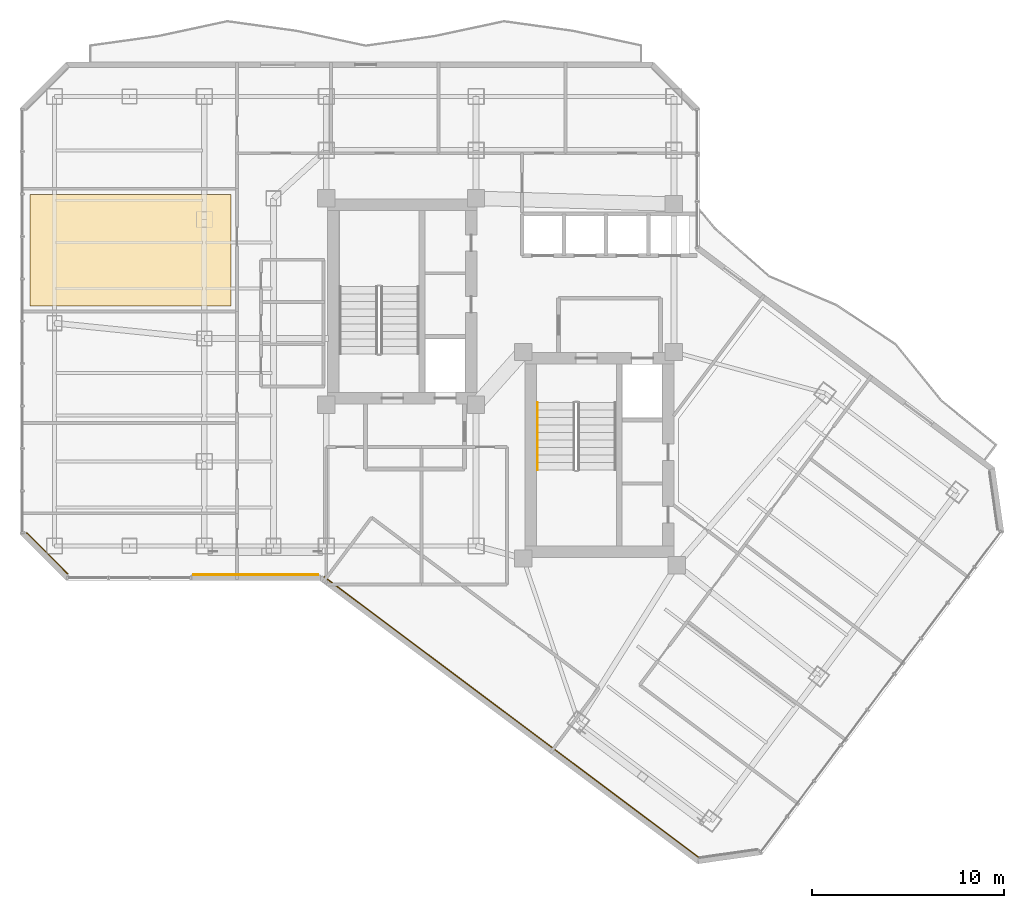
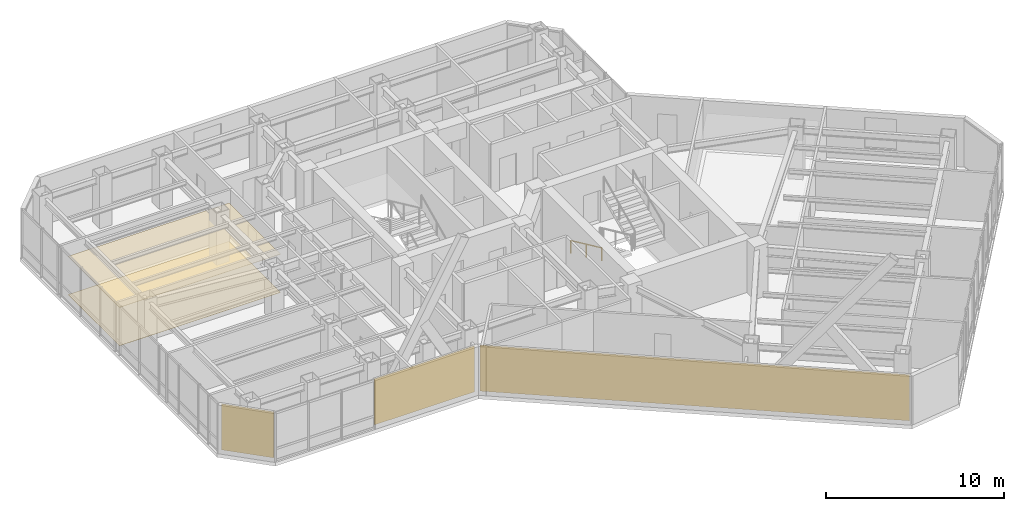
# One storey, part 25 of 27: 5 coverings, 1 railing.
"""IFC4 building model written with IfcOpenShell, lengths in metres."""

from ifc_helpers import new_model, si_unit, direction, frame, origin, origin_2d, place, context, subcontext, project, spatial, polyline, rectangle, circle, outline, extrude, material, layer, layer_set, type_object, element, save


model = new_model("IFC4")

# Units and contexts
model_context = context("Model", 3, precision=1e-05, world=origin(), true_north=direction((0.0, 1.0)))
body_context = subcontext(model_context, "Body", "Model", "MODEL_VIEW")
ifc_project = project(units=[si_unit("LENGTHUNIT", "METRE"), si_unit("AREAUNIT", "SQUARE_METRE"), si_unit("VOLUMEUNIT", "CUBIC_METRE"), si_unit("PLANEANGLEUNIT", "RADIAN"), si_unit("MASSUNIT", "GRAM", prefix="KILO")], contexts=[model_context])

# Site, building, storey
site_placement = place(None, origin())
site = spatial("IfcSite", under=ifc_project, at=site_placement, CompositionType="ELEMENT")
building_placement = place(site_placement, origin())
building = spatial("IfcBuilding", under=site, at=building_placement, Name="Hatsunagi Terrace Concourse", CompositionType="ELEMENT")
storey_placement = place(building_placement, frame((0.0, 0.0, 145.64990234375)))
storey = spatial("IfcBuildingStorey", under=building, at=storey_placement, Name="L38", CompositionType="ELEMENT", Elevation=145.64990234375)

# Coverings
ifc_material_1 = material(Name="Acoustic mineral board", Category="gypsum")
ifc_layer_1 = layer(ifc_material_1, 0.02001953125)
ifc_layer_set_1 = layer_set([ifc_layer_1], Name="AcousticMineralCeiling_20")
covering_type_1 = type_object("IfcCoveringType", Name="AcousticMineralCeiling_20", PredefinedType="CEILING", material=ifc_layer_set_1)
covering_1_placement = place(storey_placement, frame((0.0, 0.0, 2.630126953125)))
element("IfcCovering", 1, at=covering_1_placement, inside=storey, type_object=covering_type_1, Name="Suspended Ceiling L38-2", PredefinedType="CEILING", context=body_context, shape_type="SweptSolid", body=[
    extrude(outline(polyline([(10.1298828125, 37.699951171875), (20.60009765625, 37.699951171875), (20.60009765625, 43.5), (10.1298828125, 43.5), (10.1298828125, 37.699951171875)])), origin(), (0.0, 0.0, 1.0), 0.02001953125),
])
ifc_material_2 = material(Name="Hardwood timber", Category="wood")
ifc_layer_2 = layer(ifc_material_2, 0.014892578125)
ifc_layer_set_2 = layer_set([ifc_layer_2], Name="HardwoodTimberFlooring_15")
covering_type_2 = type_object("IfcCoveringType", Name="HardwoodTimberFlooring_15", PredefinedType="FLOORING", material=ifc_layer_set_2)
covering_2_placement = place(storey_placement, origin())
element("IfcCovering", 2, at=covering_2_placement, inside=storey, type_object=covering_type_2, Name="Finished Flooring L38-2", PredefinedType="FLOORING", context=body_context, shape_type="SweptSolid", body=[
    extrude(outline(polyline([(10.1298828125, 37.699951171875), (20.60009765625, 37.699951171875), (20.60009765625, 43.5), (10.1298828125, 43.5), (10.1298828125, 37.699951171875)])), origin(), (0.0, 0.0, 1.0), 0.01513671875),
])

# Railing
ifc_material_3 = material(Name="Stainless steel", Category="steel")
ifc_layer_3 = layer(ifc_material_3, 0.044921875)
ifc_layer_set_3 = layer_set([ifc_layer_3], Name="StairPitchHandrail_Tower2000")
railing_type = type_object("IfcRailingType", Name="StairPitchHandrail_Tower2000", PredefinedType="HANDRAIL", material=ifc_layer_set_3)
railing_placement = place(storey_placement, frame((36.550048828125, 32.659912109375, 0.18017578125)))
element("IfcRailing", 3, at=railing_placement, inside=storey, type_object=railing_type, Name="L38 ST-B stair handrail 1", PredefinedType="HANDRAIL", context=body_context, shape_type="SweptSolid", body=[
    extrude(circle(Radius=0.02392578125, at=origin_2d()), frame((0.0, 0.0, 0.8759765625), z_axis=(0.0, -0.907972323039, 0.419030142823), x_axis=(1.0, 0.0, 0.0)), (0.0, 0.0, 1.0), 3.86572265625),
    extrude(circle(Radius=0.02099609375, at=origin_2d()), origin(), (0.0, 0.0, 1.0), 0.851806640625),
    extrude(circle(Radius=0.02099609375, at=origin_2d()), frame((0.0, -1.7548828125, 0.81005859375)), (0.0, 0.0, 1.0), 0.851806640625),
    extrude(circle(Radius=0.02099609375, at=origin_2d()), frame((0.0, -3.510009765625, 1.619873046875)), (0.0, 0.0, 1.0), 0.851806640625),
])

# Coverings
ifc_material_4 = material(Name="Unglazed Warm Terracotta Rainscreen Tile", Category="masonry")
ifc_layer_4 = layer(ifc_material_4, 0.044921875)
ifc_layer_set_4 = layer_set([ifc_layer_4], Name="TerracottaRainscreenCladding_45")
covering_type_3 = type_object("IfcCoveringType", Name="TerracottaRainscreenCladding_45", PredefinedType="CLADDING", material=ifc_layer_set_4)
covering_3_placement = place(storey_placement, frame((35.179931640625, 16.29296875, 0.10009765625), z_axis=(0.0, 0.0, 1.0), x_axis=(-0.800005211305, 0.599993051531, 0.0)))
element("IfcCovering", 4, at=covering_3_placement, inside=storey, type_object=covering_type_3, Name="Terracotta Rainscreen Cladding L38-05", PredefinedType="CLADDING", context=body_context, shape_type="SweptSolid", body=[
    extrude(rectangle(XDim=24.34912109375, YDim=0.044921875, at=origin_2d()), origin(), (0.0, 0.0, 1.0), 3.14990234375),
])
covering_4_placement = place(storey_placement, frame((21.873046875, 23.701904296875, 0.10009765625), z_axis=(0.0, 0.0, 1.0), x_axis=(-1.0, 0.0, 0.0)))
element("IfcCovering", 5, at=covering_4_placement, inside=storey, type_object=covering_type_3, Name="Terracotta Rainscreen Cladding L38-06", PredefinedType="CLADDING", context=body_context, shape_type="SweptSolid", body=[
    extrude(rectangle(XDim=6.507080078125, YDim=0.044921875, at=origin_2d()), origin(), (0.0, 0.0, 1.0), 3.14990234375),
])
covering_5_placement = place(storey_placement, frame((11.013916015625, 24.81396484375, 0.10009765625), z_axis=(0.0, 0.0, 1.0), x_axis=(-0.707106781187, 0.707106781187, 0.0)))
element("IfcCovering", 6, at=covering_5_placement, inside=storey, type_object=covering_type_3, Name="Terracotta Rainscreen Cladding L38-08", PredefinedType="CLADDING", context=body_context, shape_type="SweptSolid", body=[
    extrude(rectangle(XDim=3.0380859375, YDim=0.044921875, at=origin_2d()), origin(), (0.0, 0.0, 1.0), 3.14990234375),
])

save(model, "model.ifc")
